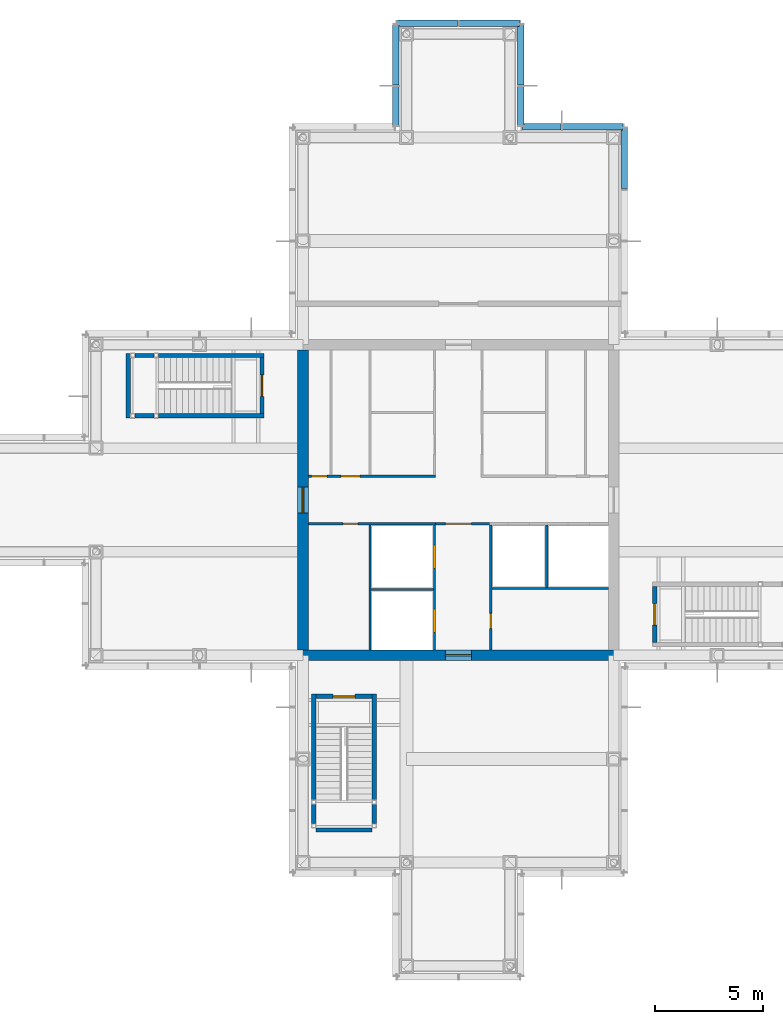
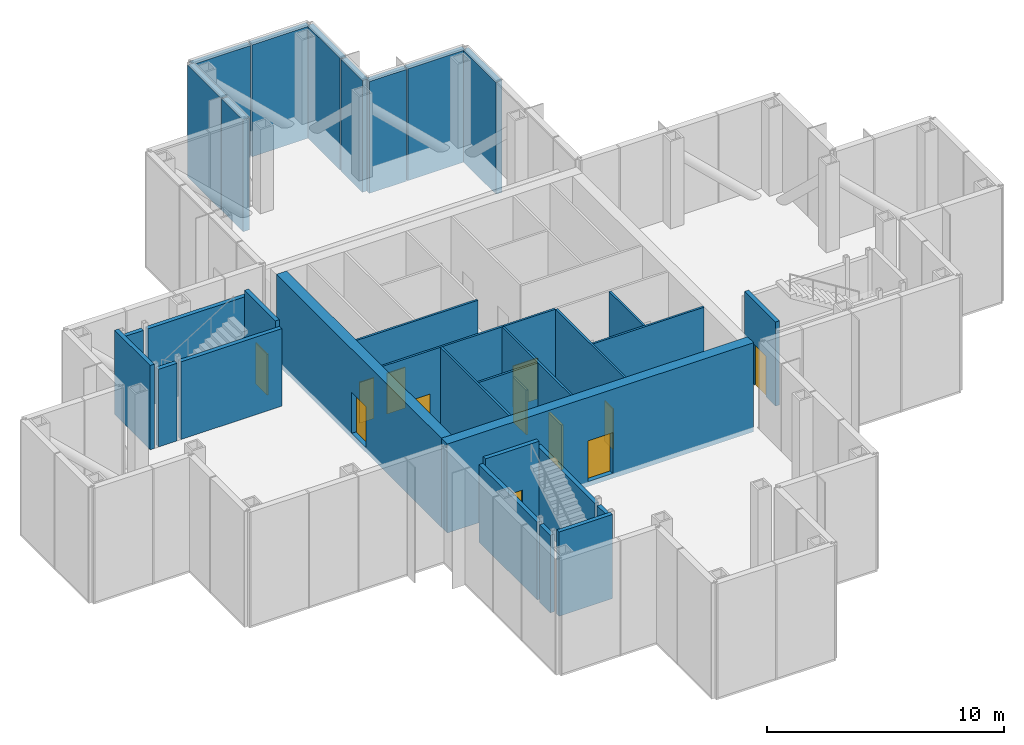
# One storey, part 11 of 13: 24 walls, 12 doors, 9 plates, 12 openings, 5 elements without a shape of their own.
"""IFC4 building model written with IfcOpenShell, lengths in metres."""

from ifc_helpers import new_model, si_unit, direction, frame, frame_2d, origin, origin_2d, place, context, subcontext, project, spatial, rectangle, extrude, material, layer, layer_set, type_object, element, fill, aggregate, save


model = new_model("IFC4")

# Units and contexts
model_context = context("Model", 3, precision=1e-05, world=origin(), true_north=direction((0.0, 1.0)))
body_context = subcontext(model_context, "Body", "Model", "MODEL_VIEW")
ifc_project = project(units=[si_unit("LENGTHUNIT", "METRE"), si_unit("AREAUNIT", "SQUARE_METRE"), si_unit("VOLUMEUNIT", "CUBIC_METRE"), si_unit("PLANEANGLEUNIT", "RADIAN"), si_unit("MASSUNIT", "GRAM", prefix="KILO")], contexts=[model_context])

# Site, building, storey
site_placement = place(None, origin())
site = spatial("IfcSite", under=ifc_project, at=site_placement, CompositionType="ELEMENT")
building_placement = place(site_placement, origin())
building = spatial("IfcBuilding", under=site, at=building_placement, Name="Kvirike Care Tower", CompositionType="ELEMENT")
storey_placement = place(building_placement, frame((0.0, 0.0, 190.0)))
storey = spatial("IfcBuildingStorey", under=building, at=storey_placement, Name="L52", CompositionType="ELEMENT", Elevation=190.0)

# Curtain wall, plate
ifc_material_1 = material(Name="Anodised aluminium stick system", Category="aluminium")
curtain_wall_type = type_object("IfcCurtainWallType", Name="CW-L LOUVRED PLANT SCREEN", PredefinedType="NOTDEFINED", material=ifc_material_1)
curtain_wall_1_placement = place(storey_placement, origin())
curtain_wall_1 = element("IfcCurtainWall", 1, at=curtain_wall_1_placement, inside=storey, type_object=curtain_wall_type, Name="Curtain wall L52 face 8", PredefinedType="NOTDEFINED")
ifc_material_2 = material(Name="Bronze anodised aluminium louvre", Category="aluminium")
ifc_layer_1 = layer(ifc_material_2, 0.300048828125)
ifc_layer_set_1 = layer_set([ifc_layer_1], Name="BRONZE LOUVRE PANEL")
plate_type = type_object("IfcPlateType", Name="BRONZE LOUVRE PANEL", PredefinedType="CURTAIN_PANEL", material=ifc_layer_set_1)
plate_1_placement = place(storey_placement, frame((29.300048828125, 51.833740234375, -1.35009765625), z_axis=(0.0, 0.0, 1.0), x_axis=(0.0, 1.0, 0.0)))
plate_1 = element("IfcPlate", 2, at=plate_1_placement, type_object=plate_type, Name="CW-L panel L52 face 8.4", PredefinedType="CURTAIN_PANEL", context=body_context, shape_type="SweptSolid", body=[
    extrude(rectangle(XDim=2.802490234375, YDim=0.300048828125, at=origin_2d()), origin(), (0.0, 0.0, 1.0), 5.75),
])
aggregate(curtain_wall_1, [plate_1])

# Curtain wall, plates
curtain_wall_2_placement = place(storey_placement, origin())
curtain_wall_2 = element("IfcCurtainWall", 3, at=curtain_wall_2_placement, inside=storey, type_object=curtain_wall_type, Name="Curtain wall L52 face 9", PredefinedType="NOTDEFINED")
plate_2_placement = place(storey_placement, frame((27.833740234375, 53.300048828125, -1.35009765625), z_axis=(0.0, 0.0, 1.0), x_axis=(-1.0, 0.0, 0.0)))
plate_2 = element("IfcPlate", 4, at=plate_2_placement, type_object=plate_type, Name="CW-L panel L52 face 9.1", PredefinedType="CURTAIN_PANEL", context=body_context, shape_type="SweptSolid", body=[
    extrude(rectangle(XDim=2.802490234375, YDim=0.300048828125, at=origin_2d()), origin(), (0.0, 0.0, 1.0), 5.75),
])
plate_3_placement = place(storey_placement, frame((25.46630859375, 53.300048828125, -1.35009765625), z_axis=(0.0, 0.0, 1.0), x_axis=(-1.0, 0.0, 0.0)))
plate_3 = element("IfcPlate", 5, at=plate_3_placement, type_object=plate_type, Name="CW-L panel L52 face 9.2", PredefinedType="CURTAIN_PANEL", context=body_context, shape_type="SweptSolid", body=[
    extrude(rectangle(XDim=1.802490234375, YDim=0.300048828125, at=origin_2d()), origin(), (0.0, 0.0, 1.0), 5.75),
])
aggregate(curtain_wall_2, [plate_2, plate_3])

curtain_wall_3_placement = place(storey_placement, origin())
curtain_wall_3 = element("IfcCurtainWall", 6, at=curtain_wall_3_placement, inside=storey, type_object=curtain_wall_type, Name="Curtain wall L52 face 10", PredefinedType="NOTDEFINED")
plate_4_placement = place(storey_placement, frame((24.5, 54.266357421875, -1.35009765625), z_axis=(0.0, 0.0, 1.0), x_axis=(0.0, 1.0, 0.0)))
plate_4 = element("IfcPlate", 7, at=plate_4_placement, type_object=plate_type, Name="CW-L panel L52 face 10.1", PredefinedType="CURTAIN_PANEL", context=body_context, shape_type="SweptSolid", body=[
    extrude(rectangle(XDim=1.802490234375, YDim=0.300048828125, at=origin_2d()), origin(), (0.0, 0.0, 1.0), 5.75),
])
plate_5_placement = place(storey_placement, frame((24.5, 56.6337890625, -1.35009765625), z_axis=(0.0, 0.0, 1.0), x_axis=(0.0, 1.0, 0.0)))
plate_5 = element("IfcPlate", 8, at=plate_5_placement, type_object=plate_type, Name="CW-L panel L52 face 10.2", PredefinedType="CURTAIN_PANEL", context=body_context, shape_type="SweptSolid", body=[
    extrude(rectangle(XDim=2.802490234375, YDim=0.300048828125, at=origin_2d()), origin(), (0.0, 0.0, 1.0), 5.75),
])
aggregate(curtain_wall_3, [plate_4, plate_5])

curtain_wall_4_placement = place(storey_placement, origin())
curtain_wall_4 = element("IfcCurtainWall", 9, at=curtain_wall_4_placement, inside=storey, type_object=curtain_wall_type, Name="Curtain wall L52 face 11", PredefinedType="NOTDEFINED")
plate_6_placement = place(storey_placement, frame((23.03369140625, 58.10009765625, -1.35009765625), z_axis=(0.0, 0.0, 1.0), x_axis=(-1.0, 0.0, 0.0)))
plate_6 = element("IfcPlate", 10, at=plate_6_placement, type_object=plate_type, Name="CW-L panel L52 face 11.1", PredefinedType="CURTAIN_PANEL", context=body_context, shape_type="SweptSolid", body=[
    extrude(rectangle(XDim=2.802490234375, YDim=0.300048828125, at=origin_2d()), origin(), (0.0, 0.0, 1.0), 5.75),
])
plate_7_placement = place(storey_placement, frame((20.166259765625, 58.10009765625, -1.35009765625), z_axis=(0.0, 0.0, 1.0), x_axis=(-1.0, 0.0, 0.0)))
plate_7 = element("IfcPlate", 11, at=plate_7_placement, type_object=plate_type, Name="CW-L panel L52 face 11.2", PredefinedType="CURTAIN_PANEL", context=body_context, shape_type="SweptSolid", body=[
    extrude(rectangle(XDim=2.802490234375, YDim=0.300048828125, at=origin_2d()), origin(), (0.0, 0.0, 1.0), 5.75),
])
aggregate(curtain_wall_4, [plate_6, plate_7])

curtain_wall_5_placement = place(storey_placement, origin())
curtain_wall_5 = element("IfcCurtainWall", 12, at=curtain_wall_5_placement, inside=storey, type_object=curtain_wall_type, Name="Curtain wall L52 face 12", PredefinedType="NOTDEFINED")
plate_8_placement = place(storey_placement, frame((18.699951171875, 56.6337890625, -1.35009765625), z_axis=(0.0, 0.0, 1.0), x_axis=(0.0, -1.0, 0.0)))
plate_8 = element("IfcPlate", 13, at=plate_8_placement, type_object=plate_type, Name="CW-L panel L52 face 12.1", PredefinedType="CURTAIN_PANEL", context=body_context, shape_type="SweptSolid", body=[
    extrude(rectangle(XDim=2.802490234375, YDim=0.300048828125, at=origin_2d()), origin(), (0.0, 0.0, 1.0), 5.75),
])
plate_9_placement = place(storey_placement, frame((18.699951171875, 54.266357421875, -1.35009765625), z_axis=(0.0, 0.0, 1.0), x_axis=(0.0, -1.0, 0.0)))
plate_9 = element("IfcPlate", 14, at=plate_9_placement, type_object=plate_type, Name="CW-L panel L52 face 12.2", PredefinedType="CURTAIN_PANEL", context=body_context, shape_type="SweptSolid", body=[
    extrude(rectangle(XDim=1.802490234375, YDim=0.300048828125, at=origin_2d()), origin(), (0.0, 0.0, 1.0), 5.75),
])
aggregate(curtain_wall_5, [plate_8, plate_9])

# Wall, opening, door
ifc_material_3 = material(Name="Concrete C45/55", Category="concrete")
ifc_layer_2 = layer(ifc_material_3, 0.5)
ifc_layer_set_2 = layer_set([ifc_layer_2], Name="CORE WALL 500 C45-55")
wall_type_1 = type_object("IfcWallType", Name="CORE WALL 500 C45-55", PredefinedType="SHEAR", material=ifc_layer_set_2)
wall_1_placement = place(storey_placement, frame((14.14990234375, 28.800048828125, -0.25), z_axis=(0.0, 0.0, 1.0), x_axis=(1.0, 0.0, 0.0)))
wall_1 = element("IfcWall", 15, at=wall_1_placement, inside=storey, type_object=wall_type_1, Name="Core wall S L52", PredefinedType="SHEAR", context=body_context, shape_type="SweptSolid", body=[
    extrude(rectangle(XDim=14.900146484375, YDim=0.5, at=frame_2d((7.4501953125, 0.0))), origin(), (0.0, 0.0, 1.0), 4.580078125),
])
opening_1_placement = place(wall_1_placement, frame((6.85009765625, 0.0, 0.25)))
opening_1 = element("IfcOpeningElement", 16, at=opening_1_placement, cuts=wall_1, Name="Opening 52-020", PredefinedType="OPENING", context=body_context, shape_type="SweptSolid", body=[
    extrude(rectangle(XDim=1.199951171875, YDim=2.10009765625, at=frame_2d((0.60009765625, 1.050048828125))), frame((0.0, 0.260498046875, 0.0), z_axis=(0.0, -1.0, 0.0), x_axis=(1.0, 0.0, 0.0)), (0.0, 0.0, 1.0), 0.52099609375),
])
ifc_material_4 = material(Name="Timber door set", Category="wood")
door_type_1 = type_object("IfcDoorType", Name="CORE DOOR 1200", OperationType="SINGLE_SWING_LEFT", PredefinedType="DOOR", material=ifc_material_4)
door_1_placement = place(opening_1_placement, origin())
door_1 = element("IfcDoor", 17, at=door_1_placement, inside=storey, type_object=door_type_1, Name="Core door S L52", OperationType="SINGLE_SWING_LEFT", OverallHeight=2.10009765625, OverallWidth=1.199951171875, PredefinedType="DOOR", context=body_context, shape_type="SweptSolid", body=[
    extrude(rectangle(XDim=1.199951171875, YDim=2.10009765625, at=frame_2d((0.60009765625, 1.050048828125))), frame((0.0, 0.02685546875, 0.0), z_axis=(0.0, -1.0, 0.0), x_axis=(1.0, 0.0, 0.0)), (0.0, 0.0, 1.0), 0.053955078125),
])
fill(opening_1, door_1)

wall_2_placement = place(storey_placement, frame((14.39990234375, 42.949951171875, -0.25), z_axis=(0.0, 0.0, 1.0), x_axis=(0.0, -1.0, 0.0)))
wall_2 = element("IfcWall", 18, at=wall_2_placement, inside=storey, type_object=wall_type_1, Name="Core wall W L52", PredefinedType="SHEAR", context=body_context, shape_type="SweptSolid", body=[
    extrude(rectangle(XDim=13.89990234375, YDim=0.5, at=frame_2d((6.949951171875, 0.0))), origin(), (0.0, 0.0, 1.0), 4.580078125),
])
opening_2_placement = place(wall_2_placement, frame((6.35009765625, 0.0, 0.25)))
opening_2 = element("IfcOpeningElement", 19, at=opening_2_placement, cuts=wall_2, Name="Opening 52-021", PredefinedType="OPENING", context=body_context, shape_type="SweptSolid", body=[
    extrude(rectangle(XDim=1.199951171875, YDim=2.10009765625, at=frame_2d((0.60009765625, 1.050048828125))), frame((0.0, 0.260498046875, 0.0), z_axis=(0.0, -1.0, 0.0), x_axis=(1.0, 0.0, 0.0)), (0.0, 0.0, 1.0), 0.52099609375),
])
door_2_placement = place(opening_2_placement, origin())
door_2 = element("IfcDoor", 20, at=door_2_placement, inside=storey, type_object=door_type_1, Name="Core door W L52", OperationType="SINGLE_SWING_LEFT", OverallHeight=2.10009765625, OverallWidth=1.199951171875, PredefinedType="DOOR", context=body_context, shape_type="SweptSolid", body=[
    extrude(rectangle(XDim=1.199951171875, YDim=2.10009765625, at=frame_2d((0.60009765625, 1.050048828125))), frame((0.0, 0.02685546875, 0.0), z_axis=(0.0, -1.0, 0.0), x_axis=(1.0, 0.0, 0.0)), (0.0, 0.0, 1.0), 0.053955078125),
])
fill(opening_2, door_2)

# Wall, openings, doors
ifc_material_5 = material(Name="Gypsum shaft wall system", Category="gypsum")
ifc_layer_3 = layer(ifc_material_5, 0.10009765625)
ifc_layer_set_3 = layer_set([ifc_layer_3], Name="SHAFT WALL 100")
wall_type_2 = type_object("IfcWallType", Name="SHAFT WALL 100", PredefinedType="SOLIDWALL", material=ifc_layer_set_3)
wall_3_placement = place(storey_placement, frame((20.5, 29.050048828125, 0.0), z_axis=(0.0, 0.0, 1.0), x_axis=(0.0, 1.0, 0.0)))
wall_3 = element("IfcWall", 21, at=wall_3_placement, inside=storey, type_object=wall_type_2, Name="Shaft Wall 100 L52", PredefinedType="SOLIDWALL", context=body_context, shape_type="SweptSolid", body=[
    extrude(rectangle(XDim=5.800048828125, YDim=0.10009765625, at=frame_2d((2.89990234375, 0.0))), origin(), (0.0, 0.0, 1.0), 4.330078125),
])
opening_3_placement = place(wall_3_placement, frame((0.800048828125, 0.0, 0.0)))
opening_3 = element("IfcOpeningElement", 22, at=opening_3_placement, cuts=wall_3, Name="Opening 52-005", PredefinedType="OPENING", context=body_context, shape_type="SweptSolid", body=[
    extrude(rectangle(XDim=1.10009765625, YDim=2.300048828125, at=frame_2d((0.550048828125, 1.14990234375))), frame((0.0, 0.060546875, 0.0), z_axis=(0.0, -1.0, 0.0), x_axis=(1.0, 0.0, 0.0)), (0.0, 0.0, 1.0), 0.12109375),
])
opening_4_placement = place(wall_3_placement, frame((3.77490234375, 0.0, 0.0)))
opening_4 = element("IfcOpeningElement", 23, at=opening_4_placement, cuts=wall_3, Name="Opening 52-006", PredefinedType="OPENING", context=body_context, shape_type="SweptSolid", body=[
    extrude(rectangle(XDim=1.10009765625, YDim=2.300048828125, at=frame_2d((0.550048828125, 1.14990234375))), frame((0.0, 0.060546875, 0.0), z_axis=(0.0, -1.0, 0.0), x_axis=(1.0, 0.0, 0.0)), (0.0, 0.0, 1.0), 0.12109375),
])
ifc_material_6 = material(Name="Aluminium door frame", Category="aluminium")
door_type_2 = type_object("IfcDoorType", Name="FIRE-FIGHTING LIFT LANDING DOOR 1100", OperationType="SLIDING_TO_LEFT", PredefinedType="DOOR", material=ifc_material_6)
door_3_placement = place(opening_3_placement, origin())
door_3 = element("IfcDoor", 24, at=door_3_placement, inside=storey, type_object=door_type_2, Name="Lift FF1 landing door", OperationType="SLIDING_TO_LEFT", OverallHeight=2.300048828125, OverallWidth=1.10009765625, PredefinedType="DOOR", context=body_context, shape_type="SweptSolid", body=[
    extrude(rectangle(XDim=1.10009765625, YDim=2.300048828125, at=frame_2d((0.550048828125, 1.14990234375))), frame((0.0, 0.0498046875, 0.0), z_axis=(0.0, -1.0, 0.0), x_axis=(1.0, 0.0, 0.0)), (0.0, 0.0, 1.0), 0.099609375),
])
fill(opening_3, door_3)
door_4_placement = place(opening_4_placement, origin())
door_4 = element("IfcDoor", 25, at=door_4_placement, inside=storey, type_object=door_type_2, Name="Lift FF2 landing door", OperationType="SLIDING_TO_LEFT", OverallHeight=2.300048828125, OverallWidth=1.10009765625, PredefinedType="DOOR", context=body_context, shape_type="SweptSolid", body=[
    extrude(rectangle(XDim=1.10009765625, YDim=2.300048828125, at=frame_2d((0.550048828125, 1.14990234375))), frame((0.0, 0.0498046875, 0.0), z_axis=(0.0, -1.0, 0.0), x_axis=(1.0, 0.0, 0.0)), (0.0, 0.0, 1.0), 0.099609375),
])
fill(opening_4, door_4)

# Wall, opening, door
wall_4_placement = place(storey_placement, frame((23.10009765625, 29.050048828125, 0.0), z_axis=(0.0, 0.0, 1.0), x_axis=(0.0, 1.0, 0.0)))
wall_4 = element("IfcWall", 26, at=wall_4_placement, inside=storey, type_object=wall_type_2, Name="Shaft Wall 100 L52", PredefinedType="SOLIDWALL", context=body_context, shape_type="SweptSolid", body=[
    extrude(rectangle(XDim=5.800048828125, YDim=0.10009765625, at=frame_2d((2.89990234375, 0.0))), origin(), (0.0, 0.0, 1.0), 4.330078125),
])
opening_5_placement = place(wall_4_placement, frame((1.0, 0.0, 0.0)))
opening_5 = element("IfcOpeningElement", 27, at=opening_5_placement, cuts=wall_4, Name="Opening 52-011", PredefinedType="OPENING", context=body_context, shape_type="SweptSolid", body=[
    extrude(rectangle(XDim=0.699951171875, YDim=2.10009765625, at=frame_2d((0.35009765625, 1.050048828125))), frame((0.0, 0.060546875, 0.0), z_axis=(0.0, -1.0, 0.0), x_axis=(1.0, 0.0, 0.0)), (0.0, 0.0, 1.0), 0.12109375),
])
ifc_material_7 = material(Name="Timber door set", Category="wood")
door_type_3 = type_object("IfcDoorType", Name="RISER DOOR 700", OperationType="SINGLE_SWING_LEFT", PredefinedType="DOOR", material=ifc_material_7)
door_5_placement = place(opening_5_placement, origin())
door_5 = element("IfcDoor", 28, at=door_5_placement, inside=storey, type_object=door_type_3, Name="Riser door", OperationType="SINGLE_SWING_RIGHT", OverallHeight=2.10009765625, OverallWidth=0.699951171875, PredefinedType="DOOR", context=body_context, shape_type="SweptSolid", body=[
    extrude(rectangle(XDim=0.699951171875, YDim=2.10009765625, at=frame_2d((0.35009765625, 1.050048828125))), frame((0.0, 0.02685546875, 0.0), z_axis=(0.0, -1.0, 0.0), x_axis=(1.0, 0.0, 0.0)), (0.0, 0.0, 1.0), 0.053955078125),
])
fill(opening_5, door_5)

wall_5_placement = place(storey_placement, frame((14.64990234375, 34.89990234375, 0.0), z_axis=(0.0, 0.0, 1.0), x_axis=(1.0, 0.0, 0.0)))
wall_5 = element("IfcWall", 29, at=wall_5_placement, inside=storey, type_object=wall_type_2, Name="Shaft Wall 100 L52", PredefinedType="SOLIDWALL", context=body_context, shape_type="SweptSolid", body=[
    extrude(rectangle(XDim=5.900146484375, YDim=0.10009765625, at=frame_2d((2.9501953125, 0.0))), origin(), (0.0, 0.0, 1.0), 4.330078125),
])
opening_6_placement = place(wall_5_placement, frame((1.60009765625, 0.0, 0.0)))
opening_6 = element("IfcOpeningElement", 30, at=opening_6_placement, cuts=wall_5, Name="Opening 52-012", PredefinedType="OPENING", context=body_context, shape_type="SweptSolid", body=[
    extrude(rectangle(XDim=0.699951171875, YDim=2.10009765625, at=frame_2d((0.35009765625, 1.050048828125))), frame((0.0, 0.060546875, 0.0), z_axis=(0.0, -1.0, 0.0), x_axis=(1.0, 0.0, 0.0)), (0.0, 0.0, 1.0), 0.12109375),
])
door_6_placement = place(opening_6_placement, frame((0.699951171875, 0.0, 0.0), z_axis=(0.0, 0.0, 1.0), x_axis=(-1.0, 0.0, 0.0)))
door_6 = element("IfcDoor", 31, at=door_6_placement, inside=storey, type_object=door_type_3, Name="Riser door", OperationType="SINGLE_SWING_RIGHT", OverallHeight=2.10009765625, OverallWidth=0.699951171875, PredefinedType="DOOR", context=body_context, shape_type="SweptSolid", body=[
    extrude(rectangle(XDim=0.699951171875, YDim=2.10009765625, at=frame_2d((0.35009765625, 1.050048828125))), frame((0.0, 0.02685546875, 0.0), z_axis=(0.0, -1.0, 0.0), x_axis=(1.0, 0.0, 0.0)), (0.0, 0.0, 1.0), 0.053955078125),
])
fill(opening_6, door_6)

# Wall, openings, doors
wall_6_placement = place(storey_placement, frame((14.64990234375, 37.10009765625, 0.0), z_axis=(0.0, 0.0, 1.0), x_axis=(1.0, 0.0, 0.0)))
wall_6 = element("IfcWall", 32, at=wall_6_placement, inside=storey, type_object=wall_type_2, Name="Shaft Wall 100 L52", PredefinedType="SOLIDWALL", context=body_context, shape_type="SweptSolid", body=[
    extrude(rectangle(XDim=5.900146484375, YDim=0.10009765625, at=frame_2d((2.9501953125, 0.0))), origin(), (0.0, 0.0, 1.0), 4.330078125),
])
opening_7_placement = place(wall_6_placement, frame((0.14990234375, 0.0, 0.0)))
opening_7 = element("IfcOpeningElement", 33, at=opening_7_placement, cuts=wall_6, Name="Opening 52-015", PredefinedType="OPENING", context=body_context, shape_type="SweptSolid", body=[
    extrude(rectangle(XDim=0.699951171875, YDim=2.10009765625, at=frame_2d((0.35009765625, 1.050048828125))), frame((0.0, 0.060546875, 0.0), z_axis=(0.0, -1.0, 0.0), x_axis=(1.0, 0.0, 0.0)), (0.0, 0.0, 1.0), 0.12109375),
])
opening_8_placement = place(wall_6_placement, frame((1.5, 0.0, 0.0)))
opening_8 = element("IfcOpeningElement", 34, at=opening_8_placement, cuts=wall_6, Name="Opening 52-016", PredefinedType="OPENING", context=body_context, shape_type="SweptSolid", body=[
    extrude(rectangle(XDim=0.89990234375, YDim=2.10009765625, at=frame_2d((0.449951171875, 1.050048828125))), frame((0.0, 0.060546875, 0.0), z_axis=(0.0, -1.0, 0.0), x_axis=(1.0, 0.0, 0.0)), (0.0, 0.0, 1.0), 0.12109375),
])
door_7_placement = place(opening_7_placement, origin())
door_7 = element("IfcDoor", 35, at=door_7_placement, inside=storey, type_object=door_type_3, Name="Riser door", OperationType="SINGLE_SWING_LEFT", OverallHeight=2.10009765625, OverallWidth=0.699951171875, PredefinedType="DOOR", context=body_context, shape_type="SweptSolid", body=[
    extrude(rectangle(XDim=0.699951171875, YDim=2.10009765625, at=frame_2d((0.35009765625, 1.050048828125))), frame((0.0, 0.02685546875, 0.0), z_axis=(0.0, -1.0, 0.0), x_axis=(1.0, 0.0, 0.0)), (0.0, 0.0, 1.0), 0.053955078125),
])
fill(opening_7, door_7)
ifc_material_8 = material(Name="Timber door set", Category="wood")
door_type_4 = type_object("IfcDoorType", Name="STORE DOOR 900", OperationType="SINGLE_SWING_LEFT", PredefinedType="DOOR", material=ifc_material_8)
door_8_placement = place(opening_8_placement, origin())
door_8 = element("IfcDoor", 36, at=door_8_placement, inside=storey, type_object=door_type_4, Name="Linen store door", OperationType="SINGLE_SWING_LEFT", OverallHeight=2.10009765625, OverallWidth=0.89990234375, PredefinedType="DOOR", context=body_context, shape_type="SweptSolid", body=[
    extrude(rectangle(XDim=0.89990234375, YDim=2.10009765625, at=frame_2d((0.449951171875, 1.050048828125))), frame((0.0, 0.02685546875, 0.0), z_axis=(0.0, -1.0, 0.0), x_axis=(1.0, 0.0, 0.0)), (0.0, 0.0, 1.0), 0.053955078125),
])
fill(opening_8, door_8)

# Wall, opening, door
wall_7_placement = place(storey_placement, frame((20.550048828125, 34.89990234375, 0.0), z_axis=(0.0, 0.0, 1.0), x_axis=(1.0, 0.0, 0.0)))
wall_7 = element("IfcWall", 37, at=wall_7_placement, inside=storey, type_object=wall_type_2, Name="Shaft Wall 100 L52", PredefinedType="SOLIDWALL", context=body_context, shape_type="SweptSolid", body=[
    extrude(rectangle(XDim=2.5, YDim=0.10009765625, at=frame_2d((1.25, 0.0))), origin(), (0.0, 0.0, 1.0), 4.330078125),
])
opening_9_placement = place(wall_7_placement, frame((0.449951171875, 0.0, 0.0)))
opening_9 = element("IfcOpeningElement", 38, at=opening_9_placement, cuts=wall_7, Name="Opening 52-019", PredefinedType="OPENING", context=body_context, shape_type="SweptSolid", body=[
    extrude(rectangle(XDim=1.199951171875, YDim=2.10009765625, at=frame_2d((0.60009765625, 1.050048828125))), frame((0.0, 0.060546875, 0.0), z_axis=(0.0, -1.0, 0.0), x_axis=(1.0, 0.0, 0.0)), (0.0, 0.0, 1.0), 0.12109375),
])
door_9_placement = place(opening_9_placement, frame((1.199951171875, 0.0, 0.0), z_axis=(0.0, 0.0, 1.0), x_axis=(-1.0, 0.0, 0.0)))
door_9 = element("IfcDoor", 39, at=door_9_placement, inside=storey, type_object=door_type_1, Name="Fire-fighting lobby door", OperationType="SINGLE_SWING_LEFT", OverallHeight=2.10009765625, OverallWidth=1.199951171875, PredefinedType="DOOR", context=body_context, shape_type="SweptSolid", body=[
    extrude(rectangle(XDim=1.199951171875, YDim=2.10009765625, at=frame_2d((0.60009765625, 1.050048828125))), frame((0.0, 0.02685546875, 0.0), z_axis=(0.0, -1.0, 0.0), x_axis=(1.0, 0.0, 0.0)), (0.0, 0.0, 1.0), 0.053955078125),
])
fill(opening_9, door_9)

# Walls
wall_8_placement = place(storey_placement, frame((17.5, 29.050048828125, 0.0), z_axis=(0.0, 0.0, 1.0), x_axis=(0.0, 1.0, 0.0)))
element("IfcWall", 40, at=wall_8_placement, inside=storey, type_object=wall_type_2, Name="Shaft Wall 100 L52", PredefinedType="SOLIDWALL", context=body_context, shape_type="SweptSolid", body=[
    extrude(rectangle(XDim=5.800048828125, YDim=0.10009765625, at=frame_2d((2.89990234375, 0.0))), origin(), (0.0, 0.0, 1.0), 4.330078125),
])
wall_9_placement = place(storey_placement, frame((17.550048828125, 31.85009765625, 0.0), z_axis=(0.0, 0.0, 1.0), x_axis=(1.0, 0.0, 0.0)))
element("IfcWall", 41, at=wall_9_placement, inside=storey, type_object=wall_type_2, Name="Shaft Wall 100 L52", PredefinedType="SOLIDWALL", context=body_context, shape_type="SweptSolid", body=[
    extrude(rectangle(XDim=2.89990234375, YDim=0.10009765625, at=frame_2d((1.449951171875, 0.0))), origin(), (0.0, 0.0, 1.0), 4.330078125),
])
wall_10_placement = place(storey_placement, frame((25.699951171875, 31.949951171875, 0.0), z_axis=(0.0, 0.0, 1.0), x_axis=(0.0, 1.0, 0.0)))
element("IfcWall", 42, at=wall_10_placement, inside=storey, type_object=wall_type_2, Name="Shaft Wall 100 L52", PredefinedType="SOLIDWALL", context=body_context, shape_type="SweptSolid", body=[
    extrude(rectangle(XDim=2.900146484375, YDim=0.10009765625, at=frame_2d((1.4501953125, 0.0))), origin(), (0.0, 0.0, 1.0), 4.330078125),
])
wall_11_placement = place(storey_placement, frame((23.14990234375, 31.89990234375, 0.0), z_axis=(0.0, 0.0, 1.0), x_axis=(1.0, 0.0, 0.0)))
element("IfcWall", 43, at=wall_11_placement, inside=storey, type_object=wall_type_2, Name="Shaft Wall 100 L52", PredefinedType="SOLIDWALL", context=body_context, shape_type="SweptSolid", body=[
    extrude(rectangle(XDim=5.400146484375, YDim=0.10009765625, at=frame_2d((2.7001953125, 0.0))), origin(), (0.0, 0.0, 1.0), 4.330078125),
])
ifc_material_9 = material(Name="Concrete C40/50", Category="concrete")
ifc_layer_4 = layer(ifc_material_9, 0.199951171875)
ifc_layer_set_4 = layer_set([ifc_layer_4], Name="STAIR WALL 200")
wall_type_3 = type_object("IfcWallType", Name="STAIR WALL 200", PredefinedType="SOLIDWALL", material=ifc_layer_set_4)
wall_12_placement = place(storey_placement, frame((6.60009765625, 42.699951171875, 0.0), z_axis=(0.0, 0.0, 1.0), x_axis=(1.0, 0.0, 0.0)))
element("IfcWall", 44, at=wall_12_placement, inside=storey, type_object=wall_type_3, Name="Stair Wall 200 L52", PredefinedType="SOLIDWALL", context=body_context, shape_type="SweptSolid", body=[
    extrude(rectangle(XDim=0.89990234375, YDim=0.199951171875, at=frame_2d((0.449951171875, 0.0))), origin(), (0.0, 0.0, 1.0), 3.989990234375),
])
wall_13_placement = place(storey_placement, frame((7.699951171875, 42.699951171875, 0.0), z_axis=(0.0, 0.0, 1.0), x_axis=(1.0, 0.0, 0.0)))
element("IfcWall", 45, at=wall_13_placement, inside=storey, type_object=wall_type_3, Name="Stair Wall 200 L52", PredefinedType="SOLIDWALL", context=body_context, shape_type="SweptSolid", body=[
    extrude(rectangle(XDim=4.900146484375, YDim=0.199951171875, at=frame_2d((2.4501953125, 0.0))), origin(), (0.0, 0.0, 1.0), 3.989990234375),
])
wall_14_placement = place(storey_placement, frame((6.60009765625, 39.89990234375, 0.0), z_axis=(0.0, 0.0, 1.0), x_axis=(1.0, 0.0, 0.0)))
element("IfcWall", 46, at=wall_14_placement, inside=storey, type_object=wall_type_3, Name="Stair Wall 200 L52", PredefinedType="SOLIDWALL", context=body_context, shape_type="SweptSolid", body=[
    extrude(rectangle(XDim=0.89990234375, YDim=0.199951171875, at=frame_2d((0.449951171875, 0.0))), origin(), (0.0, 0.0, 1.0), 3.989990234375),
])
wall_15_placement = place(storey_placement, frame((7.699951171875, 39.89990234375, 0.0), z_axis=(0.0, 0.0, 1.0), x_axis=(1.0, 0.0, 0.0)))
element("IfcWall", 47, at=wall_15_placement, inside=storey, type_object=wall_type_3, Name="Stair Wall 200 L52", PredefinedType="SOLIDWALL", context=body_context, shape_type="SweptSolid", body=[
    extrude(rectangle(XDim=4.900146484375, YDim=0.199951171875, at=frame_2d((2.4501953125, 0.0))), origin(), (0.0, 0.0, 1.0), 3.989990234375),
])
wall_16_placement = place(storey_placement, frame((6.300048828125, 42.800048828125, 0.0), z_axis=(0.0, 0.0, 1.0), x_axis=(0.0, -1.0, 0.0)))
element("IfcWall", 48, at=wall_16_placement, inside=storey, type_object=wall_type_3, Name="Stair Wall 200 L52", PredefinedType="SOLIDWALL", context=body_context, shape_type="SweptSolid", body=[
    extrude(rectangle(XDim=3.0, YDim=0.199951171875, at=frame_2d((1.5, 0.0))), origin(), (0.0, 0.0, 1.0), 4.330078125),
])

# Wall, opening, door
wall_17_placement = place(storey_placement, frame((12.5, 42.60009765625, 0.0), z_axis=(0.0, 0.0, 1.0), x_axis=(0.0, -1.0, 0.0)))
wall_17 = element("IfcWall", 49, at=wall_17_placement, inside=storey, type_object=wall_type_3, Name="Stair Wall 200 L52", PredefinedType="SOLIDWALL", context=body_context, shape_type="SweptSolid", body=[
    extrude(rectangle(XDim=2.60009765625, YDim=0.199951171875, at=frame_2d((1.300048828125, 0.0))), origin(), (0.0, 0.0, 1.0), 4.330078125),
])
opening_10_placement = place(wall_17_placement, frame((0.800048828125, 0.0, 0.0)))
opening_10 = element("IfcOpeningElement", 50, at=opening_10_placement, cuts=wall_17, Name="Opening 52-001", PredefinedType="OPENING", context=body_context, shape_type="SweptSolid", body=[
    extrude(rectangle(XDim=1.0, YDim=2.10009765625, at=frame_2d((0.5, 1.050048828125))), frame((0.0, 0.110595703125, 0.0), z_axis=(0.0, -1.0, 0.0), x_axis=(1.0, 0.0, 0.0)), (0.0, 0.0, 1.0), 0.220947265625),
])
ifc_material_10 = material(Name="Timber door set", Category="wood")
door_type_5 = type_object("IfcDoorType", Name="STAIR DOOR 1000", OperationType="SINGLE_SWING_LEFT", PredefinedType="DOOR", material=ifc_material_10)
door_10_placement = place(opening_10_placement, frame((1.0, 0.0, 0.0), z_axis=(0.0, 0.0, 1.0), x_axis=(-1.0, 0.0, 0.0)))
door_10 = element("IfcDoor", 51, at=door_10_placement, inside=storey, type_object=door_type_5, Name="Stair 1 door", OperationType="SINGLE_SWING_RIGHT", OverallHeight=2.10009765625, OverallWidth=1.0, PredefinedType="DOOR", context=body_context, shape_type="SweptSolid", body=[
    extrude(rectangle(XDim=1.0, YDim=2.10009765625, at=frame_2d((0.5, 1.050048828125))), frame((0.0, 0.031982421875, 0.0), z_axis=(0.0, -1.0, 0.0), x_axis=(1.0, 0.0, 0.0)), (0.0, 0.0, 1.0), 0.06396484375),
])
fill(opening_10, door_10)

# Walls
wall_18_placement = place(storey_placement, frame((14.89990234375, 21.0, 0.0), z_axis=(0.0, 0.0, 1.0), x_axis=(0.0, 1.0, 0.0)))
element("IfcWall", 52, at=wall_18_placement, inside=storey, type_object=wall_type_3, Name="Stair Wall 200 L52", PredefinedType="SOLIDWALL", context=body_context, shape_type="SweptSolid", body=[
    extrude(rectangle(XDim=0.89990234375, YDim=0.199951171875, at=frame_2d((0.449951171875, 0.0))), origin(), (0.0, 0.0, 1.0), 3.989990234375),
])
wall_19_placement = place(storey_placement, frame((14.89990234375, 22.10009765625, 0.0), z_axis=(0.0, 0.0, 1.0), x_axis=(0.0, 1.0, 0.0)))
element("IfcWall", 53, at=wall_19_placement, inside=storey, type_object=wall_type_3, Name="Stair Wall 200 L52", PredefinedType="SOLIDWALL", context=body_context, shape_type="SweptSolid", body=[
    extrude(rectangle(XDim=4.89990234375, YDim=0.199951171875, at=frame_2d((2.449951171875, 0.0))), origin(), (0.0, 0.0, 1.0), 3.989990234375),
])
wall_20_placement = place(storey_placement, frame((17.699951171875, 21.0, 0.0), z_axis=(0.0, 0.0, 1.0), x_axis=(0.0, 1.0, 0.0)))
element("IfcWall", 54, at=wall_20_placement, inside=storey, type_object=wall_type_3, Name="Stair Wall 200 L52", PredefinedType="SOLIDWALL", context=body_context, shape_type="SweptSolid", body=[
    extrude(rectangle(XDim=0.89990234375, YDim=0.199951171875, at=frame_2d((0.449951171875, 0.0))), origin(), (0.0, 0.0, 1.0), 3.989990234375),
])
wall_21_placement = place(storey_placement, frame((17.699951171875, 22.10009765625, 0.0), z_axis=(0.0, 0.0, 1.0), x_axis=(0.0, 1.0, 0.0)))
element("IfcWall", 55, at=wall_21_placement, inside=storey, type_object=wall_type_3, Name="Stair Wall 200 L52", PredefinedType="SOLIDWALL", context=body_context, shape_type="SweptSolid", body=[
    extrude(rectangle(XDim=4.89990234375, YDim=0.199951171875, at=frame_2d((2.449951171875, 0.0))), origin(), (0.0, 0.0, 1.0), 3.989990234375),
])
wall_22_placement = place(storey_placement, frame((15.0, 20.699951171875, 0.0), z_axis=(0.0, 0.0, 1.0), x_axis=(1.0, 0.0, 0.0)))
element("IfcWall", 56, at=wall_22_placement, inside=storey, type_object=wall_type_3, Name="Stair Wall 200 L52", PredefinedType="SOLIDWALL", context=body_context, shape_type="SweptSolid", body=[
    extrude(rectangle(XDim=2.60009765625, YDim=0.199951171875, at=frame_2d((1.300048828125, 0.0))), origin(), (0.0, 0.0, 1.0), 4.330078125),
])

# Wall, opening, door
wall_23_placement = place(storey_placement, frame((15.0, 26.89990234375, 0.0), z_axis=(0.0, 0.0, 1.0), x_axis=(1.0, 0.0, 0.0)))
wall_23 = element("IfcWall", 57, at=wall_23_placement, inside=storey, type_object=wall_type_3, Name="Stair Wall 200 L52", PredefinedType="SOLIDWALL", context=body_context, shape_type="SweptSolid", body=[
    extrude(rectangle(XDim=2.60009765625, YDim=0.199951171875, at=frame_2d((1.300048828125, 0.0))), origin(), (0.0, 0.0, 1.0), 4.330078125),
])
opening_11_placement = place(wall_23_placement, frame((0.800048828125, 0.0, 0.0)))
opening_11 = element("IfcOpeningElement", 58, at=opening_11_placement, cuts=wall_23, Name="Opening 52-002", PredefinedType="OPENING", context=body_context, shape_type="SweptSolid", body=[
    extrude(rectangle(XDim=1.0, YDim=2.10009765625, at=frame_2d((0.5, 1.050048828125))), frame((0.0, 0.110595703125, 0.0), z_axis=(0.0, -1.0, 0.0), x_axis=(1.0, 0.0, 0.0)), (0.0, 0.0, 1.0), 0.220947265625),
])
door_11_placement = place(opening_11_placement, frame((1.0, 0.0, 0.0), z_axis=(0.0, 0.0, 1.0), x_axis=(-1.0, 0.0, 0.0)))
door_11 = element("IfcDoor", 59, at=door_11_placement, inside=storey, type_object=door_type_5, Name="Stair 5 door", OperationType="SINGLE_SWING_RIGHT", OverallHeight=2.10009765625, OverallWidth=1.0, PredefinedType="DOOR", context=body_context, shape_type="SweptSolid", body=[
    extrude(rectangle(XDim=1.0, YDim=2.10009765625, at=frame_2d((0.5, 1.050048828125))), frame((0.0, 0.031982421875, 0.0), z_axis=(0.0, -1.0, 0.0), x_axis=(1.0, 0.0, 0.0)), (0.0, 0.0, 1.0), 0.06396484375),
])
fill(opening_11, door_11)

wall_24_placement = place(storey_placement, frame((30.699951171875, 29.39990234375, 0.0), z_axis=(0.0, 0.0, 1.0), x_axis=(0.0, 1.0, 0.0)))
wall_24 = element("IfcWall", 60, at=wall_24_placement, inside=storey, type_object=wall_type_3, Name="Stair Wall 200 L52", PredefinedType="SOLIDWALL", context=body_context, shape_type="SweptSolid", body=[
    extrude(rectangle(XDim=2.60009765625, YDim=0.199951171875, at=frame_2d((1.300048828125, 0.0))), origin(), (0.0, 0.0, 1.0), 4.330078125),
])
opening_12_placement = place(wall_24_placement, frame((0.800048828125, 0.0, 0.0)))
opening_12 = element("IfcOpeningElement", 61, at=opening_12_placement, cuts=wall_24, Name="Opening 52-004", PredefinedType="OPENING", context=body_context, shape_type="SweptSolid", body=[
    extrude(rectangle(XDim=1.0, YDim=2.10009765625, at=frame_2d((0.5, 1.050048828125))), frame((0.0, 0.110595703125, 0.0), z_axis=(0.0, -1.0, 0.0), x_axis=(1.0, 0.0, 0.0)), (0.0, 0.0, 1.0), 0.220947265625),
])
door_12_placement = place(opening_12_placement, frame((1.0, 0.0, 0.0), z_axis=(0.0, 0.0, 1.0), x_axis=(-1.0, 0.0, 0.0)))
door_12 = element("IfcDoor", 62, at=door_12_placement, inside=storey, type_object=door_type_5, Name="Stair 2 door", OperationType="SINGLE_SWING_LEFT", OverallHeight=2.10009765625, OverallWidth=1.0, PredefinedType="DOOR", context=body_context, shape_type="SweptSolid", body=[
    extrude(rectangle(XDim=1.0, YDim=2.10009765625, at=frame_2d((0.5, 1.050048828125))), frame((0.0, 0.031982421875, 0.0), z_axis=(0.0, -1.0, 0.0), x_axis=(1.0, 0.0, 0.0)), (0.0, 0.0, 1.0), 0.06396484375),
])
fill(opening_12, door_12)

save(model, "model.ifc")
